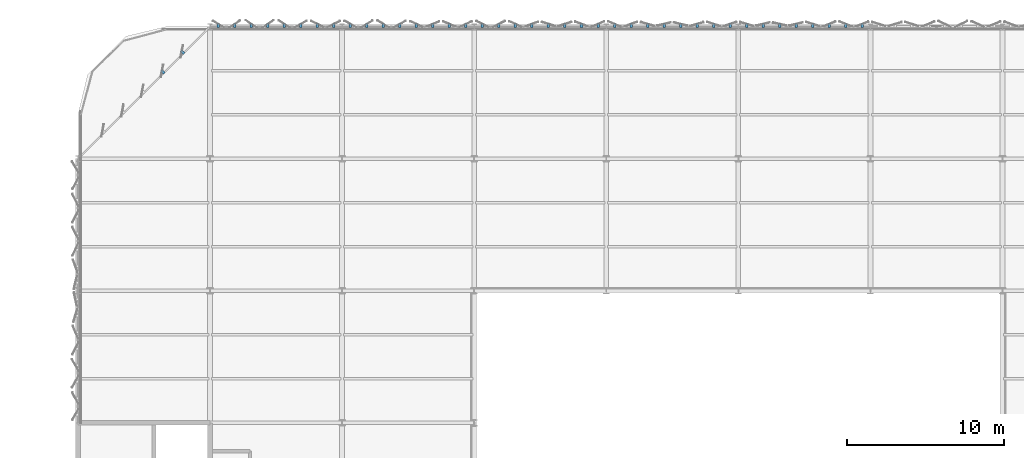
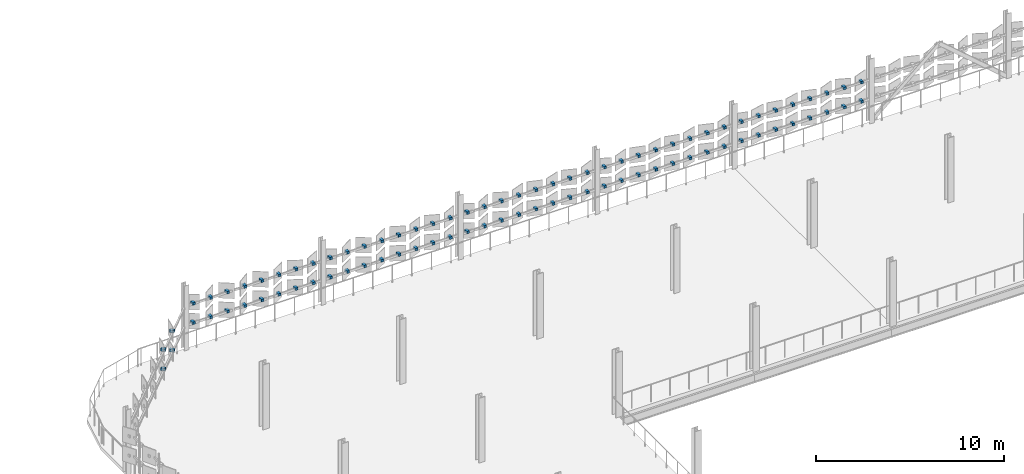
# One storey, part 171 of 184: 84 discrete accessories.
"""IFC4 building model written with IfcOpenShell, lengths in metres."""

from ifc_helpers import new_model, si_unit, direction, frame, origin, origin_2d, place, context, subcontext, project, spatial, rectangle, extrude, material, type_object, element, save


model = new_model("IFC4")

# Units and contexts
model_context = context("Model", 3, precision=1e-05, world=origin(), true_north=direction((0.0, 1.0)))
body_context = subcontext(model_context, "Body", "Model", "MODEL_VIEW")
ifc_project = project(units=[si_unit("LENGTHUNIT", "METRE"), si_unit("AREAUNIT", "SQUARE_METRE"), si_unit("VOLUMEUNIT", "CUBIC_METRE"), si_unit("PLANEANGLEUNIT", "RADIAN"), si_unit("MASSUNIT", "GRAM", prefix="KILO")], contexts=[model_context])

# Site, building, storey
site_placement = place(None, origin())
site = spatial("IfcSite", under=ifc_project, at=site_placement, CompositionType="ELEMENT")
building_placement = place(site_placement, origin())
building = spatial("IfcBuilding", under=site, at=building_placement, Name="Qalvenar Corner Mobility Hub", CompositionType="ELEMENT")
storey_placement = place(building_placement, frame((0.0, 0.0, 9.0)))
storey = spatial("IfcBuildingStorey", under=building, at=storey_placement, Name="L02", CompositionType="ELEMENT", Elevation=9.0)

# Discrete accessories
ifc_material = material(Name="Steel S355", Category="steel")
discrete_accessory_type = type_object("IfcDiscreteAccessoryType", Name="ACC-HINGE-BRK", PredefinedType="BRACKET", material=ifc_material)
for number, where, z_axis, x_axis, name in (
    (1, (108.675048828125, 117.679931640625, 1.419921875), (0.0, 0.0, 1.0), (-1.0, 0.0, 0.0), "Panel Hinge Bracket BK-L02-0537"),
    (2, (108.675048828125, 117.679931640625, 2.669921875), (0.0, 0.0, 1.0), (-1.0, 0.0, 0.0), "Panel Hinge Bracket BK-L02-0538"),
    (3, (107.625, 117.679931640625, 1.419921875), (0.0, 0.0, 1.0), (-1.0, 0.0, 0.0), "Panel Hinge Bracket BK-L02-0539"),
    (4, (107.625, 117.679931640625, 2.669921875), (0.0, 0.0, 1.0), (-1.0, 0.0, 0.0), "Panel Hinge Bracket BK-L02-0540"),
    (5, (106.574951171875, 117.679931640625, 1.419921875), (0.0, 0.0, 1.0), (-1.0, 0.0, 0.0), "Panel Hinge Bracket BK-L02-0541"),
    (6, (106.574951171875, 117.679931640625, 2.669921875), (0.0, 0.0, 1.0), (-1.0, 0.0, 0.0), "Panel Hinge Bracket BK-L02-0542"),
    (7, (105.52490234375, 117.679931640625, 1.419921875), (0.0, 0.0, 1.0), (-1.0, 0.0, 0.0), "Panel Hinge Bracket BK-L02-0543"),
    (8, (105.52490234375, 117.679931640625, 2.669921875), (0.0, 0.0, 1.0), (-1.0, 0.0, 0.0), "Panel Hinge Bracket BK-L02-0544"),
    (9, (104.47509765625, 117.679931640625, 1.419921875), (0.0, 0.0, 1.0), (-1.0, 0.0, 0.0), "Panel Hinge Bracket BK-L02-0545"),
    (10, (104.47509765625, 117.679931640625, 2.669921875), (0.0, 0.0, 1.0), (-1.0, 0.0, 0.0), "Panel Hinge Bracket BK-L02-0546"),
    (11, (103.425048828125, 117.679931640625, 1.419921875), (0.0, 0.0, 1.0), (-1.0, 0.0, 0.0), "Panel Hinge Bracket BK-L02-0547"),
    (12, (103.425048828125, 117.679931640625, 2.669921875), (0.0, 0.0, 1.0), (-1.0, 0.0, 0.0), "Panel Hinge Bracket BK-L02-0548"),
    (13, (102.375, 117.679931640625, 1.419921875), (0.0, 0.0, 1.0), (-1.0, 0.0, 0.0), "Panel Hinge Bracket BK-L02-0549"),
    (14, (102.375, 117.679931640625, 2.669921875), (0.0, 0.0, 1.0), (-1.0, 0.0, 0.0), "Panel Hinge Bracket BK-L02-0550"),
    (15, (101.324951171875, 117.679931640625, 1.419921875), (0.0, 0.0, 1.0), (-1.0, 0.0, 0.0), "Panel Hinge Bracket BK-L02-0551"),
    (16, (101.324951171875, 117.679931640625, 2.669921875), (0.0, 0.0, 1.0), (-1.0, 0.0, 0.0), "Panel Hinge Bracket BK-L02-0552"),
    (17, (100.27490234375, 117.679931640625, 1.419921875), (0.0, 0.0, 1.0), (-1.0, 0.0, 0.0), "Panel Hinge Bracket BK-L02-0553"),
    (18, (100.27490234375, 117.679931640625, 2.669921875), (0.0, 0.0, 1.0), (-1.0, 0.0, 0.0), "Panel Hinge Bracket BK-L02-0554"),
    (19, (99.22509765625, 117.679931640625, 1.419921875), (0.0, 0.0, 1.0), (-1.0, 0.0, 0.0), "Panel Hinge Bracket BK-L02-0555"),
    (20, (99.22509765625, 117.679931640625, 2.669921875), (0.0, 0.0, 1.0), (-1.0, 0.0, 0.0), "Panel Hinge Bracket BK-L02-0556"),
    (21, (98.175048828125, 117.679931640625, 1.419921875), (0.0, 0.0, 1.0), (-1.0, 0.0, 0.0), "Panel Hinge Bracket BK-L02-0557"),
    (22, (98.175048828125, 117.679931640625, 2.669921875), (0.0, 0.0, 1.0), (-1.0, 0.0, 0.0), "Panel Hinge Bracket BK-L02-0558"),
    (23, (97.125, 117.679931640625, 1.419921875), (0.0, 0.0, 1.0), (-1.0, 0.0, 0.0), "Panel Hinge Bracket BK-L02-0559"),
    (24, (97.125, 117.679931640625, 2.669921875), (0.0, 0.0, 1.0), (-1.0, 0.0, 0.0), "Panel Hinge Bracket BK-L02-0560"),
    (25, (96.074951171875, 117.679931640625, 1.419921875), (0.0, 0.0, 1.0), (-1.0, 0.0, 0.0), "Panel Hinge Bracket BK-L02-0561"),
    (26, (96.074951171875, 117.679931640625, 2.669921875), (0.0, 0.0, 1.0), (-1.0, 0.0, 0.0), "Panel Hinge Bracket BK-L02-0562"),
    (27, (95.02490234375, 117.679931640625, 1.419921875), (0.0, 0.0, 1.0), (-1.0, 0.0, 0.0), "Panel Hinge Bracket BK-L02-0563"),
    (28, (95.02490234375, 117.679931640625, 2.669921875), (0.0, 0.0, 1.0), (-1.0, 0.0, 0.0), "Panel Hinge Bracket BK-L02-0564"),
    (29, (93.97509765625, 117.679931640625, 1.419921875), (0.0, 0.0, 1.0), (-1.0, 0.0, 0.0), "Panel Hinge Bracket BK-L02-0565"),
    (30, (93.97509765625, 117.679931640625, 2.669921875), (0.0, 0.0, 1.0), (-1.0, 0.0, 0.0), "Panel Hinge Bracket BK-L02-0566"),
    (31, (92.925048828125, 117.679931640625, 1.419921875), (0.0, 0.0, 1.0), (-1.0, 0.0, 0.0), "Panel Hinge Bracket BK-L02-0567"),
    (32, (92.925048828125, 117.679931640625, 2.669921875), (0.0, 0.0, 1.0), (-1.0, 0.0, 0.0), "Panel Hinge Bracket BK-L02-0568"),
    (33, (91.875, 117.679931640625, 1.419921875), (0.0, 0.0, 1.0), (-1.0, 0.0, 0.0), "Panel Hinge Bracket BK-L02-0569"),
    (34, (91.875, 117.679931640625, 2.669921875), (0.0, 0.0, 1.0), (-1.0, 0.0, 0.0), "Panel Hinge Bracket BK-L02-0570"),
    (35, (90.824951171875, 117.679931640625, 1.419921875), (0.0, 0.0, 1.0), (-1.0, 0.0, 0.0), "Panel Hinge Bracket BK-L02-0571"),
    (36, (90.824951171875, 117.679931640625, 2.669921875), (0.0, 0.0, 1.0), (-1.0, 0.0, 0.0), "Panel Hinge Bracket BK-L02-0572"),
    (37, (89.77490234375, 117.679931640625, 1.419921875), (0.0, 0.0, 1.0), (-1.0, 0.0, 0.0), "Panel Hinge Bracket BK-L02-0573"),
    (38, (89.77490234375, 117.679931640625, 2.669921875), (0.0, 0.0, 1.0), (-1.0, 0.0, 0.0), "Panel Hinge Bracket BK-L02-0574"),
    (39, (88.72509765625, 117.679931640625, 1.419921875), (0.0, 0.0, 1.0), (-1.0, 0.0, 0.0), "Panel Hinge Bracket BK-L02-0575"),
    (40, (88.72509765625, 117.679931640625, 2.669921875), (0.0, 0.0, 1.0), (-1.0, 0.0, 0.0), "Panel Hinge Bracket BK-L02-0576"),
    (41, (87.675048828125, 117.679931640625, 1.419921875), (0.0, 0.0, 1.0), (-1.0, 0.0, 0.0), "Panel Hinge Bracket BK-L02-0577"),
    (42, (87.675048828125, 117.679931640625, 2.669921875), (0.0, 0.0, 1.0), (-1.0, 0.0, 0.0), "Panel Hinge Bracket BK-L02-0578"),
    (43, (86.625, 117.679931640625, 1.419921875), (0.0, 0.0, 1.0), (-1.0, 0.0, 0.0), "Panel Hinge Bracket BK-L02-0579"),
    (44, (86.625, 117.679931640625, 2.669921875), (0.0, 0.0, 1.0), (-1.0, 0.0, 0.0), "Panel Hinge Bracket BK-L02-0580"),
    (45, (85.574951171875, 117.679931640625, 1.419921875), (0.0, 0.0, 1.0), (-1.0, 0.0, 0.0), "Panel Hinge Bracket BK-L02-0581"),
    (46, (85.574951171875, 117.679931640625, 2.669921875), (0.0, 0.0, 1.0), (-1.0, 0.0, 0.0), "Panel Hinge Bracket BK-L02-0582"),
    (47, (84.52490234375, 117.679931640625, 1.419921875), (0.0, 0.0, 1.0), (-1.0, 0.0, 0.0), "Panel Hinge Bracket BK-L02-0583"),
    (48, (84.52490234375, 117.679931640625, 2.669921875), (0.0, 0.0, 1.0), (-1.0, 0.0, 0.0), "Panel Hinge Bracket BK-L02-0584"),
    (49, (83.47509765625, 117.679931640625, 1.419921875), (0.0, 0.0, 1.0), (-1.0, 0.0, 0.0), "Panel Hinge Bracket BK-L02-0585"),
    (50, (83.47509765625, 117.679931640625, 2.669921875), (0.0, 0.0, 1.0), (-1.0, 0.0, 0.0), "Panel Hinge Bracket BK-L02-0586"),
    (51, (82.425048828125, 117.679931640625, 1.419921875), (0.0, 0.0, 1.0), (-1.0, 0.0, 0.0), "Panel Hinge Bracket BK-L02-0587"),
    (52, (82.425048828125, 117.679931640625, 2.669921875), (0.0, 0.0, 1.0), (-1.0, 0.0, 0.0), "Panel Hinge Bracket BK-L02-0588"),
    (53, (81.375, 117.679931640625, 1.419921875), (0.0, 0.0, 1.0), (-1.0, 0.0, 0.0), "Panel Hinge Bracket BK-L02-0589"),
    (54, (81.375, 117.679931640625, 2.669921875), (0.0, 0.0, 1.0), (-1.0, 0.0, 0.0), "Panel Hinge Bracket BK-L02-0590"),
    (55, (80.324951171875, 117.679931640625, 1.419921875), (0.0, 0.0, 1.0), (-1.0, 0.0, 0.0), "Panel Hinge Bracket BK-L02-0591"),
    (56, (80.324951171875, 117.679931640625, 2.669921875), (0.0, 0.0, 1.0), (-1.0, 0.0, 0.0), "Panel Hinge Bracket BK-L02-0592"),
    (57, (79.27490234375, 117.679931640625, 1.419921875), (0.0, 0.0, 1.0), (-1.0, 0.0, 0.0), "Panel Hinge Bracket BK-L02-0593"),
    (58, (79.27490234375, 117.679931640625, 2.669921875), (0.0, 0.0, 1.0), (-1.0, 0.0, 0.0), "Panel Hinge Bracket BK-L02-0594"),
    (59, (78.22509765625, 117.679931640625, 1.419921875), (0.0, 0.0, 1.0), (-1.0, 0.0, 0.0), "Panel Hinge Bracket BK-L02-0595"),
    (60, (78.22509765625, 117.679931640625, 2.669921875), (0.0, 0.0, 1.0), (-1.0, 0.0, 0.0), "Panel Hinge Bracket BK-L02-0596"),
    (61, (77.175048828125, 117.679931640625, 1.419921875), (0.0, 0.0, 1.0), (-1.0, 0.0, 0.0), "Panel Hinge Bracket BK-L02-0597"),
    (62, (77.175048828125, 117.679931640625, 2.669921875), (0.0, 0.0, 1.0), (-1.0, 0.0, 0.0), "Panel Hinge Bracket BK-L02-0598"),
    (63, (76.125, 117.679931640625, 1.419921875), (0.0, 0.0, 1.0), (-1.0, 0.0, 0.0), "Panel Hinge Bracket BK-L02-0599"),
    (64, (76.125, 117.679931640625, 2.669921875), (0.0, 0.0, 1.0), (-1.0, 0.0, 0.0), "Panel Hinge Bracket BK-L02-0600"),
    (65, (75.074951171875, 117.679931640625, 1.419921875), (0.0, 0.0, 1.0), (-1.0, 0.0, 0.0), "Panel Hinge Bracket BK-L02-0601"),
    (66, (75.074951171875, 117.679931640625, 2.669921875), (0.0, 0.0, 1.0), (-1.0, 0.0, 0.0), "Panel Hinge Bracket BK-L02-0602"),
    (67, (74.02490234375, 117.679931640625, 1.419921875), (0.0, 0.0, 1.0), (-1.0, 0.0, 0.0), "Panel Hinge Bracket BK-L02-0603"),
    (68, (74.02490234375, 117.679931640625, 2.669921875), (0.0, 0.0, 1.0), (-1.0, 0.0, 0.0), "Panel Hinge Bracket BK-L02-0604"),
    (69, (72.97509765625, 117.679931640625, 1.419921875), (0.0, 0.0, 1.0), (-1.0, 0.0, 0.0), "Panel Hinge Bracket BK-L02-0605"),
    (70, (72.97509765625, 117.679931640625, 2.669921875), (0.0, 0.0, 1.0), (-1.0, 0.0, 0.0), "Panel Hinge Bracket BK-L02-0606"),
    (71, (71.925048828125, 117.679931640625, 1.419921875), (0.0, 0.0, 1.0), (-1.0, 0.0, 0.0), "Panel Hinge Bracket BK-L02-0607"),
    (72, (71.925048828125, 117.679931640625, 2.669921875), (0.0, 0.0, 1.0), (-1.0, 0.0, 0.0), "Panel Hinge Bracket BK-L02-0608"),
    (73, (70.875, 117.679931640625, 1.419921875), (0.0, 0.0, 1.0), (-1.0, 0.0, 0.0), "Panel Hinge Bracket BK-L02-0609"),
    (74, (70.875, 117.679931640625, 2.669921875), (0.0, 0.0, 1.0), (-1.0, 0.0, 0.0), "Panel Hinge Bracket BK-L02-0610"),
    (75, (69.824951171875, 117.679931640625, 1.419921875), (0.0, 0.0, 1.0), (-1.0, 0.0, 0.0), "Panel Hinge Bracket BK-L02-0611"),
    (76, (69.824951171875, 117.679931640625, 2.669921875), (0.0, 0.0, 1.0), (-1.0, 0.0, 0.0), "Panel Hinge Bracket BK-L02-0612"),
    (77, (68.77490234375, 117.679931640625, 1.419921875), (0.0, 0.0, 1.0), (-1.0, 0.0, 0.0), "Panel Hinge Bracket BK-L02-0613"),
    (78, (68.77490234375, 117.679931640625, 2.669921875), (0.0, 0.0, 1.0), (-1.0, 0.0, 0.0), "Panel Hinge Bracket BK-L02-0614"),
    (79, (67.72509765625, 117.679931640625, 1.419921875), (0.0, 0.0, 1.0), (-1.0, 0.0, 0.0), "Panel Hinge Bracket BK-L02-0615"),
    (80, (67.72509765625, 117.679931640625, 2.669921875), (0.0, 0.0, 1.0), (-1.0, 0.0, 0.0), "Panel Hinge Bracket BK-L02-0616"),
    (81, (65.46337890625, 115.9765625, 1.419921875), (0.0, 0.0, 1.0), (-0.707106781187, -0.707106781187, 0.0), "Corner Hinge Bracket BKC-L02-0711"),
    (82, (64.203369140625, 114.716552734375, 1.419921875), (0.0, 0.0, 1.0), (-0.707106781187, -0.707106781187, 0.0), "Corner Hinge Bracket BKC-L02-0712"),
    (83, (65.46337890625, 115.9765625, 2.669921875), (0.0, 0.0, 1.0), (-0.707106781187, -0.707106781187, 0.0), "Corner Hinge Bracket BKC-L02-0716"),
    (84, (64.203369140625, 114.716552734375, 2.669921875), (0.0, 0.0, 1.0), (-0.707106781187, -0.707106781187, 0.0), "Corner Hinge Bracket BKC-L02-0717"),
):
    element("IfcDiscreteAccessory", number, at=place(storey_placement, frame(where, z_axis=z_axis, x_axis=x_axis)), inside=storey, type_object=discrete_accessory_type, Name=name, PredefinedType="BRACKET", context=body_context, shape_type="SweptSolid", body=[
        extrude(rectangle(XDim=0.159912109375, YDim=0.260009765625, at=origin_2d()), origin(), (0.0, 0.0, 1.0), 0.159912109375),
    ])

save(model, "model.ifc")
